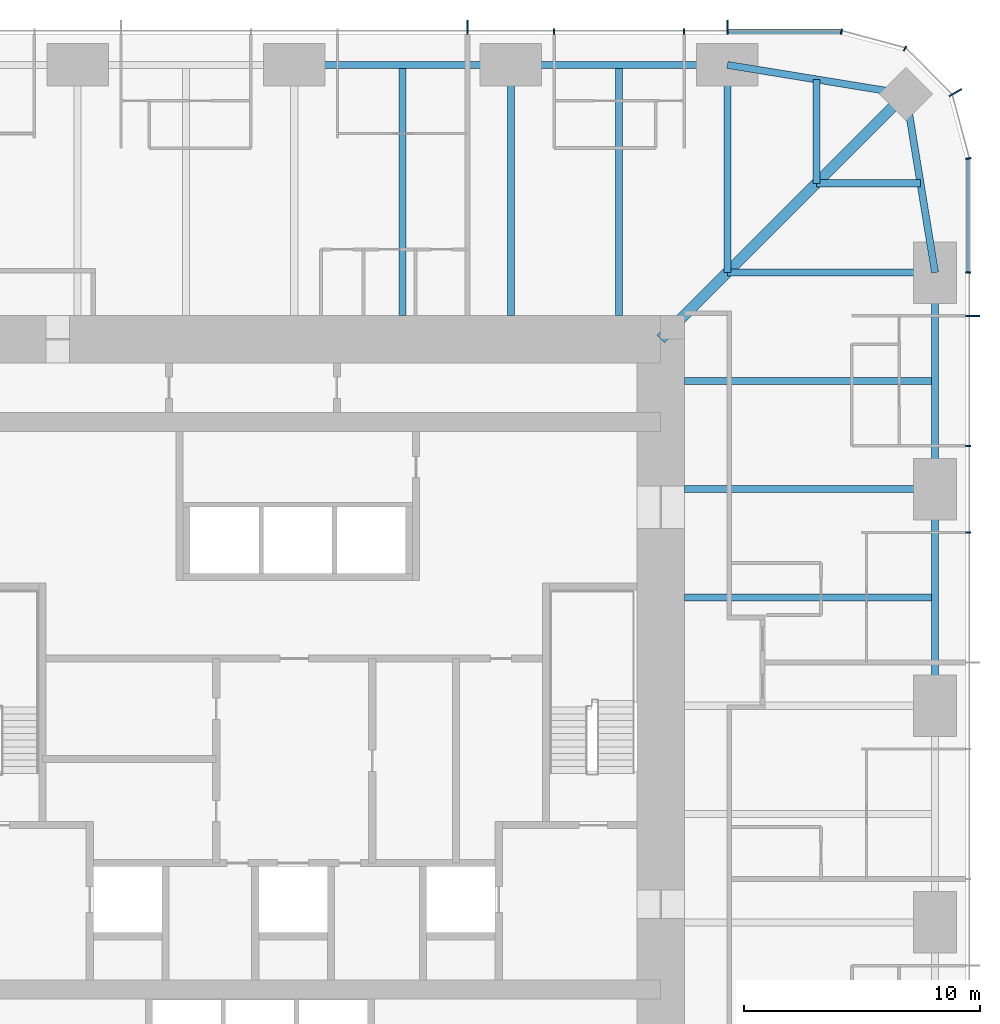
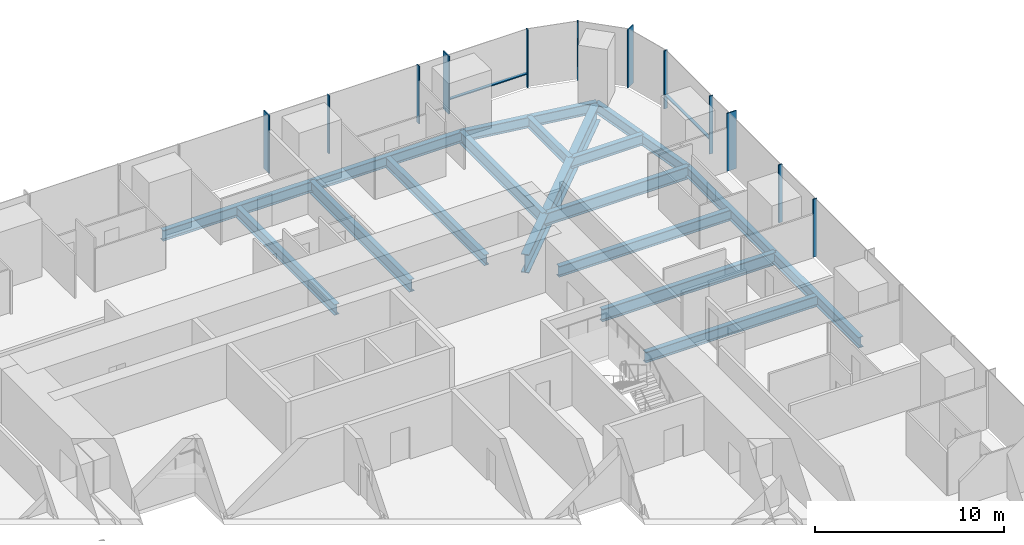
# One storey, part 6 of 13: 17 beams, 14 members, 3 elements without a shape of their own.
"""IFC4 building model written with IfcOpenShell, lengths in metres."""

from ifc_helpers import new_model, si_unit, direction, frame, origin, origin_2d, place, context, subcontext, project, spatial, rectangle, i_section, extrude, material, material_profile, profile_set, type_object, element, aggregate, save


model = new_model("IFC4")

# Units and contexts
model_context = context("Model", 3, precision=1e-05, world=origin(), true_north=direction((0.0, 1.0)))
body_context = subcontext(model_context, "Body", "Model", "MODEL_VIEW")
ifc_project = project(units=[si_unit("LENGTHUNIT", "METRE"), si_unit("AREAUNIT", "SQUARE_METRE"), si_unit("VOLUMEUNIT", "CUBIC_METRE"), si_unit("PLANEANGLEUNIT", "RADIAN"), si_unit("MASSUNIT", "GRAM", prefix="KILO")], contexts=[model_context])

# Site, building, storey
site_placement = place(None, origin())
site = spatial("IfcSite", under=ifc_project, at=site_placement, CompositionType="ELEMENT")
building_placement = place(site_placement, origin())
building = spatial("IfcBuilding", under=site, at=building_placement, Name="Khuree Lantern Residences", CompositionType="ELEMENT")
storey_placement = place(building_placement, frame((0.0, 0.0, 156.0)))
storey = spatial("IfcBuildingStorey", under=building, at=storey_placement, Name="L39", CompositionType="ELEMENT", Elevation=156.0)

# Beams
ifc_material_1 = material(Name="Steel S355", Category="steel")
ifc_material_profile_1 = material_profile(ifc_material_1, i_section(OverallWidth=0.300048828125, OverallDepth=0.68994140625, WebThickness=0.014404296875, FlangeThickness=0.027099609375, FilletRadius=0.027099609375, at=origin_2d()), Name="HE 700 A")
ifc_profile_set_1 = profile_set([ifc_material_profile_1], Name="Steel S355")
beam_type_1 = type_object("IfcBeamType", Name="B-24 SECONDARY BEAM HE 700 A", PredefinedType="BEAM", material=ifc_profile_set_1)
for number, where, z_axis, x_axis, name in (
    (1, (4.580078125, 27.10009765625, -0.594970703125), (0.0, -1.0, 0.0), (1.0, 0.0, 0.0), "Secondary beam N3"),
    (2, (13.739990234375, 27.10009765625, -0.594970703125), (0.0, -1.0, 0.0), (1.0, 0.0, 0.0), "Secondary beam N4"),
):
    element("IfcBeam", number, at=place(storey_placement, frame(where, z_axis=z_axis, x_axis=x_axis)), inside=storey, type_object=beam_type_1, Name=name, PredefinedType="BEAM", context=body_context, shape_type="SweptSolid", body=[
        extrude(i_section(OverallWidth=0.300048828125, OverallDepth=0.68994140625, WebThickness=0.014404296875, FlangeThickness=0.027099609375, FilletRadius=0.027099609375, at=origin_2d()), origin(), (0.0, 0.0, 1.0), 10.60009765625),
    ])
for number, where, z_axis, x_axis, name in (
    (3, (22.094970703125, 26.48486328125, -0.594970703125), (0.0, -1.0, 0.0), (1.0, 0.0, 0.0), "Secondary beam N5"),
    (4, (26.48486328125, 22.094970703125, -0.594970703125), (-1.0, 0.0, 0.0), (0.0, -1.0, 0.0), "Secondary beam E1"),
):
    element("IfcBeam", number, at=place(storey_placement, frame(where, z_axis=z_axis, x_axis=x_axis)), inside=storey, type_object=beam_type_1, Name=name, PredefinedType="BEAM", context=body_context, shape_type="SweptSolid", body=[
        extrude(i_section(OverallWidth=0.300048828125, OverallDepth=0.68994140625, WebThickness=0.014404296875, FlangeThickness=0.027099609375, FilletRadius=0.027099609375, at=origin_2d()), origin(), (0.0, 0.0, 1.0), 4.389892578125),
    ])
for number, where, z_axis, x_axis, name in (
    (5, (27.10009765625, 13.739990234375, -0.594970703125), (-1.0, 0.0, 0.0), (0.0, -1.0, 0.0), "Secondary beam E2"),
    (6, (27.10009765625, 4.580078125, -0.594970703125), (-1.0, 0.0, 0.0), (0.0, -1.0, 0.0), "Secondary beam E3"),
):
    element("IfcBeam", number, at=place(storey_placement, frame(where, z_axis=z_axis, x_axis=x_axis)), inside=storey, type_object=beam_type_1, Name=name, PredefinedType="BEAM", context=body_context, shape_type="SweptSolid", body=[
        extrude(i_section(OverallWidth=0.300048828125, OverallDepth=0.68994140625, WebThickness=0.014404296875, FlangeThickness=0.027099609375, FilletRadius=0.027099609375, at=origin_2d()), origin(), (0.0, 0.0, 1.0), 10.60009765625),
    ])
ifc_material_profile_2 = material_profile(ifc_material_1, i_section(OverallWidth=0.300048828125, OverallDepth=0.68994140625, WebThickness=0.014404296875, FlangeThickness=0.027099609375, FilletRadius=0.027099609375, at=origin_2d()), Name="HE 700 A")
ifc_profile_set_2 = profile_set([ifc_material_profile_2], Name="Steel S355")
beam_type_2 = type_object("IfcBeamType", Name="E-24 SPANDREL BEAM HE 700 A", PredefinedType="SPANDREL", material=ifc_profile_set_2)
beam_1_placement = place(storey_placement, frame((0.0, 27.10009765625, -0.594970703125), z_axis=(1.0, 0.0, 0.0), x_axis=(0.0, 1.0, 0.0)))
element("IfcBeam", 7, at=beam_1_placement, inside=storey, type_object=beam_type_2, Name="Spandrel beam N3", PredefinedType="SPANDREL", context=body_context, shape_type="SweptSolid", body=[
    extrude(i_section(OverallWidth=0.300048828125, OverallDepth=0.68994140625, WebThickness=0.014404296875, FlangeThickness=0.027099609375, FilletRadius=0.027099609375, at=origin_2d()), origin(), (0.0, 0.0, 1.0), 9.159912109375),
])
beam_2_placement = place(storey_placement, frame((9.159912109375, 27.10009765625, -0.594970703125), z_axis=(1.0, 0.0, 0.0), x_axis=(0.0, 1.0, 0.0)))
element("IfcBeam", 8, at=beam_2_placement, inside=storey, type_object=beam_type_2, Name="Spandrel beam N4", PredefinedType="SPANDREL", context=body_context, shape_type="SweptSolid", body=[
    extrude(i_section(OverallWidth=0.300048828125, OverallDepth=0.68994140625, WebThickness=0.014404296875, FlangeThickness=0.027099609375, FilletRadius=0.027099609375, at=origin_2d()), origin(), (0.0, 0.0, 1.0), 9.16015625),
])
for number, where, z_axis, x_axis, name in (
    (9, (18.320068359375, 27.10009765625, -0.594970703125), (0.986982656839, -0.160826723833, 0.0), (0.160826723833, 0.986982656839, 0.0), "Spandrel beam N5"),
    (10, (25.869873046875, 25.869873046875, -0.594970703125), (0.160826723833, -0.986982656839, 0.0), (0.986982656839, 0.160826723833, 0.0), "Spandrel beam E1"),
):
    element("IfcBeam", number, at=place(storey_placement, frame(where, z_axis=z_axis, x_axis=x_axis)), inside=storey, type_object=beam_type_2, Name=name, PredefinedType="SPANDREL", context=body_context, shape_type="SweptSolid", body=[
        extrude(i_section(OverallWidth=0.300048828125, OverallDepth=0.68994140625, WebThickness=0.014404296875, FlangeThickness=0.027099609375, FilletRadius=0.027099609375, at=origin_2d()), origin(), (0.0, 0.0, 1.0), 7.6494140625),
    ])
beam_3_placement = place(storey_placement, frame((27.10009765625, 18.320068359375, -0.594970703125), z_axis=(0.0, -1.0, 0.0), x_axis=(1.0, 0.0, 0.0)))
element("IfcBeam", 11, at=beam_3_placement, inside=storey, type_object=beam_type_2, Name="Spandrel beam E2", PredefinedType="SPANDREL", context=body_context, shape_type="SweptSolid", body=[
    extrude(i_section(OverallWidth=0.300048828125, OverallDepth=0.68994140625, WebThickness=0.014404296875, FlangeThickness=0.027099609375, FilletRadius=0.027099609375, at=origin_2d()), origin(), (0.0, 0.0, 1.0), 9.16015625),
])
beam_4_placement = place(storey_placement, frame((27.10009765625, 9.159912109375, -0.594970703125), z_axis=(0.0, -1.0, 0.0), x_axis=(1.0, 0.0, 0.0)))
element("IfcBeam", 12, at=beam_4_placement, inside=storey, type_object=beam_type_2, Name="Spandrel beam E3", PredefinedType="SPANDREL", context=body_context, shape_type="SweptSolid", body=[
    extrude(i_section(OverallWidth=0.300048828125, OverallDepth=0.68994140625, WebThickness=0.014404296875, FlangeThickness=0.027099609375, FilletRadius=0.027099609375, at=origin_2d()), origin(), (0.0, 0.0, 1.0), 9.159912109375),
])

# Curtain wall, member
ifc_material_2 = material(Name="Bronze anodised aluminium", Category="aluminium")
curtain_wall_type_1 = type_object("IfcCurtainWallType", Name="CW-T1 TOWER FACE CURTAIN WALL", PredefinedType="USERDEFINED", material=ifc_material_2)
curtain_wall_1_placement = place(storey_placement, origin())
curtain_wall_1 = element("IfcCurtainWall", 13, at=curtain_wall_1_placement, inside=storey, type_object=curtain_wall_type_1, Name="L39 EAST FACE CURTAIN WALL", ObjectType="Stick-built curtain wall", PredefinedType="USERDEFINED")
ifc_material_profile_3 = material_profile(ifc_material_2, rectangle(XDim=0.06494140625, YDim=0.60009765625, at=origin_2d()), Name="F1 65X600")
ifc_profile_set_3 = profile_set([ifc_material_profile_3], Name="Bronze anodised aluminium")
member_type_1 = type_object("IfcMemberType", Name="F1 BRONZE FIN MULLION TOWER 65X600", PredefinedType="MULLION", material=ifc_profile_set_3)
member_1_placement = place(storey_placement, frame((28.699951171875, 16.488037109375, 0.0), z_axis=(0.0, 0.0, 1.0), x_axis=(0.0, 1.0, 0.0)))
member_1 = element("IfcMember", 14, at=member_1_placement, type_object=member_type_1, Name="L39 EAST FACE FIN MULLION 13", PredefinedType="MULLION", context=body_context, shape_type="SweptSolid", body=[
    extrude(rectangle(XDim=0.06494140625, YDim=0.60009765625, at=origin_2d()), origin(), (0.0, 0.0, 1.0), 3.75),
])

curtain_wall_type_2 = type_object("IfcCurtainWallType", Name="CW-T2 TOWER CORNER CURTAIN WALL", PredefinedType="USERDEFINED", material=ifc_material_2)
curtain_wall_2_placement = place(storey_placement, origin())
curtain_wall_2 = element("IfcCurtainWall", 15, at=curtain_wall_2_placement, inside=storey, type_object=curtain_wall_type_2, Name="L39 NORTH-EAST CORNER CURTAIN WALL", ObjectType="Faceted corner curtain wall", PredefinedType="USERDEFINED")
member_2_placement = place(storey_placement, frame((27.95654296875, 25.925048828125, 0.0), z_axis=(0.0, 0.0, 1.0), x_axis=(-0.500000026995, 0.866025388199, 0.0)))
member_2 = element("IfcMember", 16, at=member_2_placement, type_object=member_type_1, Name="L39 NORTH-EAST CORNER FIN MULLION 16", PredefinedType="MULLION", context=body_context, shape_type="SweptSolid", body=[
    extrude(rectangle(XDim=0.06494140625, YDim=0.60009765625, at=origin_2d()), origin(), (0.0, 0.0, 1.0), 3.75),
])

# Curtain wall, members
curtain_wall_3_placement = place(storey_placement, origin())
curtain_wall_3 = element("IfcCurtainWall", 17, at=curtain_wall_3_placement, inside=storey, type_object=curtain_wall_type_1, Name="L39 NORTH FACE CURTAIN WALL", ObjectType="Stick-built curtain wall", PredefinedType="USERDEFINED")
member_3_placement = place(storey_placement, frame((18.320068359375, 28.699951171875, 0.0), z_axis=(0.0, 0.0, 1.0), x_axis=(-1.0, 0.0, 0.0)))
member_3 = element("IfcMember", 18, at=member_3_placement, type_object=member_type_1, Name="L39 NORTH FACE FIN MULLION 19", PredefinedType="MULLION", context=body_context, shape_type="SweptSolid", body=[
    extrude(rectangle(XDim=0.06494140625, YDim=0.60009765625, at=origin_2d()), origin(), (0.0, 0.0, 1.0), 3.75),
])
member_4_placement = place(storey_placement, frame((7.327880859375, 28.699951171875, 0.0), z_axis=(0.0, 0.0, 1.0), x_axis=(-1.0, 0.0, 0.0)))
member_4 = element("IfcMember", 19, at=member_4_placement, type_object=member_type_1, Name="L39 NORTH FACE FIN MULLION 22", PredefinedType="MULLION", context=body_context, shape_type="SweptSolid", body=[
    extrude(rectangle(XDim=0.06494140625, YDim=0.60009765625, at=origin_2d()), origin(), (0.0, 0.0, 1.0), 3.75),
])

# Beams
ifc_material_profile_4 = material_profile(ifc_material_1, i_section(OverallWidth=0.300048828125, OverallDepth=0.800048828125, WebThickness=0.017578125, FlangeThickness=0.032958984375, FilletRadius=0.030029296875, at=origin_2d()), Name="HE 800 B")
ifc_profile_set_4 = profile_set([ifc_material_profile_4], Name="Steel S355")
beam_type_3 = type_object("IfcBeamType", Name="G-24 GIRDER HE 800 B", PredefinedType="BEAM", material=ifc_profile_set_4)
beam_5_placement = place(storey_placement, frame((9.159912109375, 27.10009765625, -0.64990234375), z_axis=(0.0, -1.0, 0.0), x_axis=(1.0, 0.0, 0.0)))
element("IfcBeam", 20, at=beam_5_placement, inside=storey, type_object=beam_type_3, Name="Girder N4", PredefinedType="BEAM", context=body_context, shape_type="SweptSolid", body=[
    extrude(i_section(OverallWidth=0.300048828125, OverallDepth=0.800048828125, WebThickness=0.017578125, FlangeThickness=0.032958984375, FilletRadius=0.030029296875, at=origin_2d()), origin(), (0.0, 0.0, 1.0), 10.60009765625),
])
for number, where, z_axis, x_axis, name in (
    (21, (18.320068359375, 27.10009765625, -0.64990234375), (0.0, -1.0, 0.0), (1.0, 0.0, 0.0), "Girder N5"),
    (22, (27.10009765625, 18.320068359375, -0.64990234375), (-1.0, 0.0, 0.0), (0.0, -1.0, 0.0), "Girder E1"),
):
    element("IfcBeam", number, at=place(storey_placement, frame(where, z_axis=z_axis, x_axis=x_axis)), inside=storey, type_object=beam_type_3, Name=name, PredefinedType="BEAM", context=body_context, shape_type="SweptSolid", body=[
        extrude(i_section(OverallWidth=0.300048828125, OverallDepth=0.800048828125, WebThickness=0.017578125, FlangeThickness=0.032958984375, FilletRadius=0.030029296875, at=origin_2d()), origin(), (0.0, 0.0, 1.0), 8.780029296875),
    ])
beam_6_placement = place(storey_placement, frame((27.10009765625, 9.159912109375, -0.64990234375), z_axis=(-1.0, 0.0, 0.0), x_axis=(0.0, -1.0, 0.0)))
element("IfcBeam", 23, at=beam_6_placement, inside=storey, type_object=beam_type_3, Name="Girder E2", PredefinedType="BEAM", context=body_context, shape_type="SweptSolid", body=[
    extrude(i_section(OverallWidth=0.300048828125, OverallDepth=0.800048828125, WebThickness=0.017578125, FlangeThickness=0.032958984375, FilletRadius=0.030029296875, at=origin_2d()), origin(), (0.0, 0.0, 1.0), 10.60009765625),
])
ifc_material_profile_5 = material_profile(ifc_material_1, i_section(OverallWidth=0.449951171875, OverallDepth=1.199951171875, WebThickness=0.02490234375, FlangeThickness=0.044921875, at=origin_2d()), Name="WELDED I 1200X450X25X45")
ifc_profile_set_5 = profile_set([ifc_material_profile_5], Name="Steel S355")
beam_type_4 = type_object("IfcBeamType", Name="GD-24 CORNER GIRDER WELDED I 1200X450X25X45", PredefinedType="BEAM", material=ifc_profile_set_5)
beam_7_placement = place(storey_placement, frame((25.869873046875, 25.869873046875, -0.85009765625), z_axis=(-0.707106781187, -0.707106781187, 0.0), x_axis=(0.707106781187, -0.707106781187, 0.0)))
element("IfcBeam", 24, at=beam_7_placement, inside=storey, type_object=beam_type_4, Name="Corner girder NE", PredefinedType="BEAM", context=body_context, shape_type="SweptSolid", body=[
    extrude(i_section(OverallWidth=0.449951171875, OverallDepth=1.199951171875, WebThickness=0.02490234375, FlangeThickness=0.044921875, at=origin_2d()), origin(), (0.0, 0.0, 1.0), 14.665283203125),
])

# Member
ifc_material_profile_6 = material_profile(ifc_material_2, rectangle(XDim=0.06494140625, YDim=0.219970703125, at=origin_2d()), Name="M1 65X220")
ifc_profile_set_6 = profile_set([ifc_material_profile_6], Name="Bronze anodised aluminium")
member_type_2 = type_object("IfcMemberType", Name="M1 BRONZE MULLION TOWER 65X220", PredefinedType="MULLION", material=ifc_profile_set_6)
member_5_placement = place(storey_placement, frame((28.510009765625, 7.327880859375, 0.0), z_axis=(0.0, 0.0, 1.0), x_axis=(0.0, 1.0, 0.0)))
member_5 = element("IfcMember", 25, at=member_5_placement, type_object=member_type_2, Name="L39 EAST FACE MULLION 11", PredefinedType="MULLION", context=body_context, shape_type="SweptSolid", body=[
    extrude(rectangle(XDim=0.06494140625, YDim=0.219970703125, at=origin_2d()), origin(), (0.0, 0.0, 1.0), 3.75),
])

member_6_placement = place(storey_placement, frame((28.510009765625, 10.991943359375, 0.0), z_axis=(0.0, 0.0, 1.0), x_axis=(0.0, 1.0, 0.0)))
member_6 = element("IfcMember", 26, at=member_6_placement, type_object=member_type_2, Name="L39 EAST FACE MULLION 12", PredefinedType="MULLION", context=body_context, shape_type="SweptSolid", body=[
    extrude(rectangle(XDim=0.06494140625, YDim=0.219970703125, at=origin_2d()), origin(), (0.0, 0.0, 1.0), 3.75),
])

member_7_placement = place(storey_placement, frame((28.510009765625, 18.320068359375, 0.0), z_axis=(0.0, 0.0, 1.0), x_axis=(0.0, 1.0, 0.0)))
member_7 = element("IfcMember", 27, at=member_7_placement, type_object=member_type_2, Name="L39 EAST FACE MULLION 14", PredefinedType="MULLION", context=body_context, shape_type="SweptSolid", body=[
    extrude(rectangle(XDim=0.06494140625, YDim=0.219970703125, at=origin_2d()), origin(), (0.0, 0.0, 1.0), 3.75),
])

member_8_placement = place(storey_placement, frame((28.51171875, 23.14501953125, 0.0), z_axis=(0.0, 0.0, 1.0), x_axis=(-0.130526223125, 0.991444857305, 0.0)))
member_8 = element("IfcMember", 28, at=member_8_placement, type_object=member_type_2, Name="L39 NORTH-EAST CORNER MULLION 15", PredefinedType="MULLION", context=body_context, shape_type="SweptSolid", body=[
    extrude(rectangle(XDim=0.06494140625, YDim=0.219970703125, at=origin_2d()), origin(), (0.0, 0.0, 1.0), 3.75),
])

member_9_placement = place(storey_placement, frame((25.830078125, 27.7919921875, 0.0), z_axis=(0.0, 0.0, 1.0), x_axis=(-0.866025388199, 0.500000026995, 0.0)))
member_9 = element("IfcMember", 29, at=member_9_placement, type_object=member_type_2, Name="L39 NORTH-EAST CORNER MULLION 17", PredefinedType="MULLION", context=body_context, shape_type="SweptSolid", body=[
    extrude(rectangle(XDim=0.06494140625, YDim=0.219970703125, at=origin_2d()), origin(), (0.0, 0.0, 1.0), 3.75),
])

aggregate(curtain_wall_2, [member_8, member_2, member_9])

member_10_placement = place(storey_placement, frame((23.14501953125, 28.51171875, 0.0), z_axis=(0.0, 0.0, 1.0), x_axis=(-0.991444857305, 0.130526223125, 0.0)))
member_10 = element("IfcMember", 30, at=member_10_placement, type_object=member_type_2, Name="L39 NORTH FACE MULLION 18", PredefinedType="MULLION", context=body_context, shape_type="SweptSolid", body=[
    extrude(rectangle(XDim=0.06494140625, YDim=0.219970703125, at=origin_2d()), origin(), (0.0, 0.0, 1.0), 3.75),
])

member_11_placement = place(storey_placement, frame((16.488037109375, 28.510009765625, 0.0), z_axis=(0.0, 0.0, 1.0), x_axis=(-1.0, 0.0, 0.0)))
member_11 = element("IfcMember", 31, at=member_11_placement, type_object=member_type_2, Name="L39 NORTH FACE MULLION 20", PredefinedType="MULLION", context=body_context, shape_type="SweptSolid", body=[
    extrude(rectangle(XDim=0.06494140625, YDim=0.219970703125, at=origin_2d()), origin(), (0.0, 0.0, 1.0), 3.75),
])

member_12_placement = place(storey_placement, frame((10.991943359375, 28.510009765625, 0.0), z_axis=(0.0, 0.0, 1.0), x_axis=(-1.0, 0.0, 0.0)))
member_12 = element("IfcMember", 32, at=member_12_placement, type_object=member_type_2, Name="L39 NORTH FACE MULLION 21", PredefinedType="MULLION", context=body_context, shape_type="SweptSolid", body=[
    extrude(rectangle(XDim=0.06494140625, YDim=0.219970703125, at=origin_2d()), origin(), (0.0, 0.0, 1.0), 3.75),
])

ifc_material_profile_7 = material_profile(ifc_material_2, rectangle(XDim=0.179931640625, YDim=0.06494140625, at=origin_2d()), Name="T1 180X65")
ifc_profile_set_7 = profile_set([ifc_material_profile_7], Name="Bronze anodised aluminium")
member_type_3 = type_object("IfcMemberType", Name="TRANSOM T1 TOWER 180X65", PredefinedType="USERDEFINED", material=ifc_profile_set_7)
member_13_placement = place(storey_placement, frame((28.52001953125, 18.3525390625, 0.89990234375), z_axis=(0.0, 1.0, 0.0), x_axis=(-1.0, 0.0, 0.0)))
member_13 = element("IfcMember", 33, at=member_13_placement, type_object=member_type_3, Name="L39 EAST FACE TRANSOM 14.1", ObjectType="Transom", PredefinedType="USERDEFINED", context=body_context, shape_type="SweptSolid", body=[
    extrude(rectangle(XDim=0.179931640625, YDim=0.06494140625, at=origin_2d()), origin(), (0.0, 0.0, 1.0), 4.748779296875),
])

aggregate(curtain_wall_1, [member_5, member_6, member_1, member_7, member_13])

member_14_placement = place(storey_placement, frame((23.101318359375, 28.52001953125, 0.89990234375), z_axis=(-1.0, 0.0, 0.0), x_axis=(0.0, -1.0, 0.0)))
member_14 = element("IfcMember", 34, at=member_14_placement, type_object=member_type_3, Name="L39 NORTH FACE TRANSOM 18.1", ObjectType="Transom", PredefinedType="USERDEFINED", context=body_context, shape_type="SweptSolid", body=[
    extrude(rectangle(XDim=0.179931640625, YDim=0.06494140625, at=origin_2d()), origin(), (0.0, 0.0, 1.0), 4.748779296875),
])

aggregate(curtain_wall_3, [member_10, member_3, member_11, member_12, member_4, member_14])

save(model, "model.ifc")
